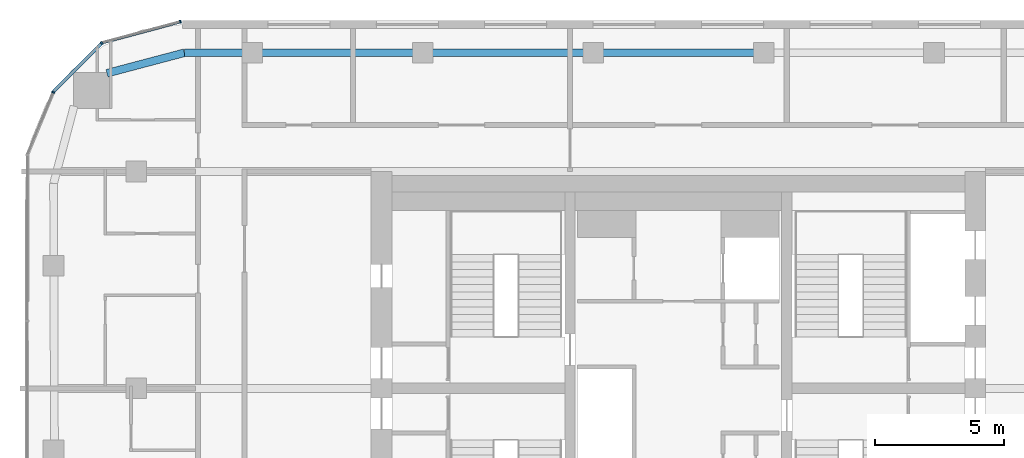
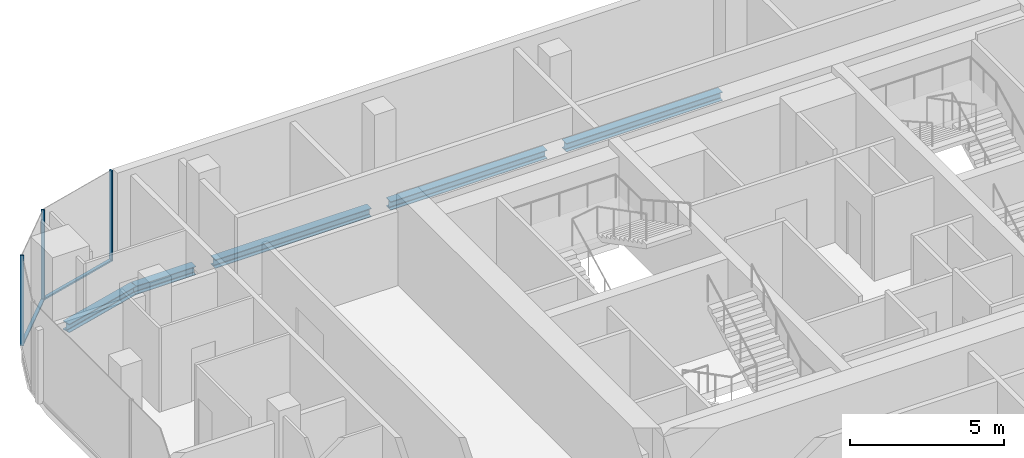
# One storey, part 10 of 22: 5 beams, 5 members, 3 elements without a shape of their own.
"""IFC4 building model written with IfcOpenShell, lengths in metres."""

import ifcopenshell
import ifcopenshell.guid

model = None  # the IFC model being written
_history = None  # IfcOwnerHistory: only IFC2X3 demands one
_inside = {}  # id of a spatial element -> (the spatial element, [elements in it])
_under = {}  # id of a project, library or spatial element -> (it, [spatial elements below it])
_declared = {}  # id of a project -> (the project, [libraries it declares])
_typed = {}  # id of a type object -> (the type object, [elements of that type])
_made_of = {}  # id of a material, layer set ... -> (it, [elements and type objects made of it])


def new_model(schema):
    """Start an empty IFC model of exactly this schema.

    Asked for "IFC4X3", IfcOpenShell would pick the latest addendum, in which some entities
    have other attributes; the version numbers below select the first issue.
    IFC2X3 requires an IfcOwnerHistory on every rooted entity: one is made here for all.
    """
    global model, _history
    if schema == "IFC4X3":
        model = ifcopenshell.file(schema_version=(4, 3, 0, 0))
    else:
        model = ifcopenshell.file(schema=schema)
    _inside.clear()
    _under.clear()
    _declared.clear()
    _typed.clear()
    _made_of.clear()
    _history = None
    if model.schema == "IFC2X3":
        org = make("IfcOrganization", Name="unknown")
        user = make(
            "IfcPersonAndOrganization",
            ThePerson=make("IfcPerson", FamilyName="unknown"),
            TheOrganization=org,
        )
        app = make(
            "IfcApplication",
            ApplicationDeveloper=org,
            Version="unknown",
            ApplicationFullName="unknown",
            ApplicationIdentifier="unknown",
        )
        _history = make(
            "IfcOwnerHistory",
            OwningUser=user,
            OwningApplication=app,
            ChangeAction="ADDED",
            CreationDate=0,
        )
    return model


def make(cls, **values):
    """One entity of the class cls with the attributes given. An attribute that is None is left unset."""
    return model.create_entity(
        cls, **{name: value for name, value in values.items() if value is not None}
    )


def rooted(cls, **values):
    """An entity with a GlobalId (a new one), such as an element, a storey or a relation."""
    return make(cls, GlobalId=ifcopenshell.guid.new(), OwnerHistory=_history, **values)


def si_unit(unit_type, name, prefix=None):
    """IfcSIUnit, for example si_unit("LENGTHUNIT", "METRE", prefix="MILLI")."""
    return make("IfcSIUnit", UnitType=unit_type, Prefix=prefix, Name=name)


def assignment(units):
    """IfcUnitAssignment: the units of a project."""
    return None if units is None else make("IfcUnitAssignment", Units=units)


def point(xyz):
    """IfcCartesianPoint."""
    return None if xyz is None else make("IfcCartesianPoint", Coordinates=xyz)


def direction(xyz):
    """IfcDirection."""
    return None if xyz is None else make("IfcDirection", DirectionRatios=xyz)


def frame(location, z_axis=None, x_axis=None):
    """IfcAxis2Placement3D, a coordinate frame: its origin and axes. An axis left out is left unset."""
    return make(
        "IfcAxis2Placement3D",
        Location=point(location),
        Axis=direction(z_axis),
        RefDirection=direction(x_axis),
    )


def frame_2d(location, x_axis=None):
    """IfcAxis2Placement2D, a coordinate frame in the plane: its origin and x axis."""
    return make(
        "IfcAxis2Placement2D", Location=point(location), RefDirection=direction(x_axis)
    )


def origin():
    """The frame at (0, 0, 0) with its axes left unset."""
    return frame((0.0, 0.0, 0.0))


def origin_2d():
    """The frame at (0, 0) in the plane with its x axis left unset."""
    return frame_2d((0.0, 0.0))


def place(relative_to, where):
    """IfcLocalPlacement: puts the frame where relative to a parent placement (None: the world)."""
    return make(
        "IfcLocalPlacement", PlacementRelTo=relative_to, RelativePlacement=where
    )


def context(
    kind, dimensions, precision=None, world=None, true_north=None, identifier=None
):
    """IfcGeometricRepresentationContext, for example the 3D "Model" context."""
    return make(
        "IfcGeometricRepresentationContext",
        ContextIdentifier=identifier,
        ContextType=kind,
        CoordinateSpaceDimension=dimensions,
        Precision=precision,
        WorldCoordinateSystem=world,
        TrueNorth=true_north,
    )


def subcontext(parent, identifier, kind, view, scale=None):
    """IfcGeometricRepresentationSubContext, for example "Body" below "Model"."""
    return make(
        "IfcGeometricRepresentationSubContext",
        ContextIdentifier=identifier,
        ContextType=kind,
        ParentContext=parent,
        TargetScale=scale,
        TargetView=view,
    )


def project(units=None, contexts=None):
    """IfcProject with its units and contexts."""
    return rooted(
        "IfcProject",
        Name="project",
        RepresentationContexts=contexts,
        UnitsInContext=assignment(units),
    )


def spatial(cls, under=None, at=None, **own):
    """A site, building, storey or space (cls), placed at a placement, below another one or the project."""
    s = rooted(cls, ObjectPlacement=at, **own)
    if under is not None:
        _under.setdefault(under.id(), (under, []))[1].append(s)
    return s


def profile(cls, at=None, kind="AREA", **sizes):
    """A parametric profile (cls). Its sizes go by their IFC names, for example OverallWidth=200.0."""
    return make(cls, ProfileType=kind, Position=at, **sizes)


def rectangle(**sizes):
    """IfcRectangleProfileDef."""
    return profile("IfcRectangleProfileDef", **sizes)


def i_section(**sizes):
    """IfcIShapeProfileDef."""
    return profile("IfcIShapeProfileDef", **sizes)


def extrude(swept, where, along, depth):
    """IfcExtrudedAreaSolid: the profile swept, set in the frame where, extruded along a direction by depth."""
    return make(
        "IfcExtrudedAreaSolid",
        SweptArea=swept,
        Position=where,
        ExtrudedDirection=direction(along),
        Depth=depth,
    )


def shape(context_of_items, identifier, shape_type, items):
    """IfcShapeRepresentation: the items that make up one representation, for example the "Body"."""
    return make(
        "IfcShapeRepresentation",
        ContextOfItems=context_of_items,
        RepresentationIdentifier=identifier,
        RepresentationType=shape_type,
        Items=items,
    )


def material(Name=None, Category=None):
    """IfcMaterial."""
    return make("IfcMaterial", Name=Name, Category=Category)


def layer(
    of_material, thickness, ventilated=None, Name=None, Category=None, Priority=None
):
    """IfcMaterialLayer: one layer of a wall or slab, of a material (None: an air gap)."""
    return make(
        "IfcMaterialLayer",
        Material=of_material,
        LayerThickness=thickness,
        IsVentilated=ventilated,
        Name=Name,
        Category=Category,
        Priority=Priority,
    )


def layer_set(layers, Name=None):
    """IfcMaterialLayerSet."""
    return make("IfcMaterialLayerSet", MaterialLayers=layers, LayerSetName=Name)


def material_profile(
    of_material, cross_section, Name=None, Category=None, Priority=None
):
    """IfcMaterialProfile: a cross section and its material."""
    return make(
        "IfcMaterialProfile",
        Name=Name,
        Material=of_material,
        Profile=cross_section,
        Priority=Priority,
        Category=Category,
    )


def profile_set(profiles, Name=None, composite=None):
    """IfcMaterialProfileSet."""
    return make(
        "IfcMaterialProfileSet",
        Name=Name,
        MaterialProfiles=profiles,
        CompositeProfile=composite,
    )


def made_of(thing, what):
    """Note that an element or type object is made of a material, layer set ...; save() writes the relation."""
    if what is not None:
        _made_of.setdefault(what.id(), (what, []))[1].append(thing)
    return thing


def type_object(cls, material=None, **own):
    """A type object (cls), such as IfcWallType, which elements share."""
    return made_of(rooted(cls, **own), material)


def element(
    cls,
    number,
    at=None,
    inside=None,
    cuts=None,
    type_object=None,
    material=None,
    context=None,
    identifier="Body",
    shape_type=None,
    held_by="IfcProductDefinitionShape",
    body=None,
    shapes=None,
    **own,
):
    """One element of the class cls, such as IfcWall. Its Tag is "e" and its number.

    at: its placement. inside: the storey or other place that contains it. cuts: it is an
    opening in that element (IfcRelVoidsElement). A single representation is given by context,
    identifier, shape_type and body (its items); several are given by shapes. held_by: the class
    of the entity that holds the representations. save() writes the other relations.
    """
    e = rooted(cls, Tag="e%d" % number, ObjectPlacement=at, **own)
    if body is not None:
        shapes = [shape(context, identifier, shape_type, body)]
    if shapes is not None:
        e.Representation = make(held_by, Representations=shapes)
    if inside is not None:
        _inside.setdefault(inside.id(), (inside, []))[1].append(e)
    if cuts is not None:
        rooted(
            "IfcRelVoidsElement", RelatingBuildingElement=cuts, RelatedOpeningElement=e
        )
    if type_object is not None:
        _typed.setdefault(type_object.id(), (type_object, []))[1].append(e)
    return made_of(e, material)


def aggregate(whole, parts):
    """IfcRelAggregates: a whole, such as a stair, and the parts it consists of."""
    return rooted("IfcRelAggregates", RelatingObject=whole, RelatedObjects=parts)


def save(model, path):
    """Write the relations noted so far, then the file.

    IfcRelAggregates (storeys below a building ...), IfcRelContainedInSpatialStructure (elements
    in a storey), IfcRelDefinesByType, IfcRelAssociatesMaterial and IfcRelDeclares: one each for
    every whole, place, type object, material and project.
    """
    for whole, parts in _under.values():
        aggregate(whole, parts)
    for where, things in _inside.values():
        rooted(
            "IfcRelContainedInSpatialStructure",
            RelatedElements=things,
            RelatingStructure=where,
        )
    for kind, things in _typed.values():
        rooted("IfcRelDefinesByType", RelatedObjects=things, RelatingType=kind)
    for what, things in _made_of.values():
        rooted("IfcRelAssociatesMaterial", RelatedObjects=things, RelatingMaterial=what)
    for by, libraries in _declared.values():
        rooted("IfcRelDeclares", RelatingContext=by, RelatedDefinitions=libraries)
    model.write(path)


model = new_model("IFC4")

# Units and contexts
model_context = context("Model", 3, precision=1e-05, world=origin(), true_north=direction((0.0, 1.0)))
body_context = subcontext(model_context, "Body", "Model", "MODEL_VIEW")
ifc_project = project(units=[si_unit("LENGTHUNIT", "METRE"), si_unit("AREAUNIT", "SQUARE_METRE"), si_unit("VOLUMEUNIT", "CUBIC_METRE"), si_unit("PLANEANGLEUNIT", "RADIAN"), si_unit("MASSUNIT", "GRAM", prefix="KILO")], contexts=[model_context])

# Site, building, storey
site_placement = place(None, origin())
site = spatial("IfcSite", under=ifc_project, at=site_placement, CompositionType="ELEMENT")
building_placement = place(site_placement, origin())
building = spatial("IfcBuilding", under=site, at=building_placement, Name="Marenta Gate Hotel Tower", CompositionType="ELEMENT")
storey_placement = place(building_placement, frame((0.0, 0.0, 209.300048828125)))
storey = spatial("IfcBuildingStorey", under=building, at=storey_placement, Name="L48", CompositionType="ELEMENT", Elevation=209.300048828125)

# Beams
ifc_material_1 = material(Name="Steel S355", Category="steel")
ifc_material_profile_1 = material_profile(ifc_material_1, i_section(OverallWidth=0.300048828125, OverallDepth=0.340087890625, WebThickness=0.011962890625, FlangeThickness=0.021484375, FilletRadius=0.027099609375, at=origin_2d()), Name="HEB 340")
ifc_profile_set_1 = profile_set([ifc_material_profile_1], Name="Steel S355")
beam_type = type_object("IfcBeamType", Name="Edge beam HEB 340", PredefinedType="SPANDREL", material=ifc_profile_set_1)
beam_1_placement = place(storey_placement, frame((-22.132080078125, 20.607177734375, -0.429931640625), z_axis=(0.9667647815, 0.25566747398, 0.0), x_axis=(-0.25566747398, 0.9667647815, 0.0)))
element("IfcBeam", 1, at=beam_1_placement, inside=storey, type_object=beam_type, Name="L48-EB-12", PredefinedType="SPANDREL", context=body_context, shape_type="SweptSolid", body=[
    extrude(i_section(OverallWidth=0.300048828125, OverallDepth=0.340087890625, WebThickness=0.011962890625, FlangeThickness=0.021484375, FilletRadius=0.027099609375, at=origin_2d()), origin(), (0.0, 0.0, 1.0), 3.1005859375),
])
beam_2_placement = place(storey_placement, frame((-19.134521484375, 21.39990234375, -0.429931640625), z_axis=(1.0, 0.0, 0.0), x_axis=(0.0, 1.0, 0.0)))
element("IfcBeam", 2, at=beam_2_placement, inside=storey, type_object=beam_type, Name="L48-EB-13", PredefinedType="SPANDREL", context=body_context, shape_type="SweptSolid", body=[
    extrude(i_section(OverallWidth=0.300048828125, OverallDepth=0.340087890625, WebThickness=0.011962890625, FlangeThickness=0.021484375, FilletRadius=0.027099609375, at=origin_2d()), origin(), (0.0, 0.0, 1.0), 2.267578125),
])
for number, where, z_axis, x_axis, name in (
    (3, (-16.14697265625, 21.39990234375, -0.429931640625), (1.0, 0.0, 0.0), (0.0, 1.0, 0.0), "L48-EB-14"),
    (4, (-9.544189453125, 21.39990234375, -0.429931640625), (1.0, 0.0, 0.0), (0.0, 1.0, 0.0), "L48-EB-15"),
    (5, (-2.94140625, 21.39990234375, -0.429931640625), (1.0, 0.0, 0.0), (0.0, 1.0, 0.0), "L48-EB-16"),
):
    element("IfcBeam", number, at=place(storey_placement, frame(where, z_axis=z_axis, x_axis=x_axis)), inside=storey, type_object=beam_type, Name=name, PredefinedType="SPANDREL", context=body_context, shape_type="SweptSolid", body=[
        extrude(i_section(OverallWidth=0.300048828125, OverallDepth=0.340087890625, WebThickness=0.011962890625, FlangeThickness=0.021484375, FilletRadius=0.027099609375, at=origin_2d()), origin(), (0.0, 0.0, 1.0), 5.8828125),
    ])

# Curtain wall, member
ifc_material_2 = material(Name="Tinted insulated glass in bronze anodised frame", Category="glass")
ifc_layer = layer(ifc_material_2, 0.1201171875)
ifc_layer_set = layer_set([ifc_layer], Name="Tinted insulated glass in bronze anodised frame")
curtain_wall_type = type_object("IfcCurtainWallType", Name="Tower unitised curtain wall CW1", PredefinedType="NOTDEFINED", material=ifc_layer_set)
curtain_wall_1_placement = place(storey_placement, origin())
curtain_wall_1 = element("IfcCurtainWall", 6, at=curtain_wall_1_placement, inside=storey, type_object=curtain_wall_type, Name="CW1 run G00", PredefinedType="NOTDEFINED")
ifc_material_3 = material(Name="Bronze anodised aluminium", Category="aluminium")
ifc_material_profile_2 = material_profile(ifc_material_3, rectangle(XDim=0.1201171875, YDim=0.06005859375, at=origin_2d()), Name="Mullion CW1 60x120 bronze anodised aluminium")
ifc_profile_set_2 = profile_set([ifc_material_profile_2], Name="Bronze anodised aluminium")
member_type_1 = type_object("IfcMemberType", Name="Mullion CW1 60x120 bronze anodised aluminium", PredefinedType="MULLION", material=ifc_profile_set_2)
member_1_placement = place(storey_placement, frame((-19.285400390625, 22.603271484375, 0.0), z_axis=(0.0, 0.0, 1.0), x_axis=(0.258801379183, -0.965930559685, 0.0)))
member_1 = element("IfcMember", 7, at=member_1_placement, type_object=member_type_1, Name="CW1 mullion 1", PredefinedType="MULLION", context=body_context, shape_type="SweptSolid", body=[
    extrude(rectangle(XDim=0.1201171875, YDim=0.06005859375, at=origin_2d()), origin(), (0.0, 0.0, 1.0), 3.599853515625),
])

curtain_wall_2_placement = place(storey_placement, origin())
curtain_wall_2 = element("IfcCurtainWall", 8, at=curtain_wall_2_placement, inside=storey, type_object=curtain_wall_type, Name="CW1 run G01", PredefinedType="NOTDEFINED")
member_2_placement = place(storey_placement, frame((-22.334228515625, 21.77099609375, 0.0), z_axis=(0.0, 0.0, 1.0), x_axis=(0.707106781187, -0.707106781187, 0.0)))
member_2 = element("IfcMember", 9, at=member_2_placement, type_object=member_type_1, Name="CW1 mullion 1", PredefinedType="MULLION", context=body_context, shape_type="SweptSolid", body=[
    extrude(rectangle(XDim=0.1201171875, YDim=0.06005859375, at=origin_2d()), origin(), (0.0, 0.0, 1.0), 3.599853515625),
])

curtain_wall_3_placement = place(storey_placement, origin())
curtain_wall_3 = element("IfcCurtainWall", 10, at=curtain_wall_3_placement, inside=storey, type_object=curtain_wall_type, Name="CW1 run G02", PredefinedType="NOTDEFINED")
member_3_placement = place(storey_placement, frame((-24.215087890625, 19.87353515625, 0.0), z_axis=(0.0, 0.0, 1.0), x_axis=(0.923886433266, -0.382666772044, 0.0)))
member_3 = element("IfcMember", 11, at=member_3_placement, type_object=member_type_1, Name="CW1 mullion 1", PredefinedType="MULLION", context=body_context, shape_type="SweptSolid", body=[
    extrude(rectangle(XDim=0.1201171875, YDim=0.06005859375, at=origin_2d()), origin(), (0.0, 0.0, 1.0), 3.599853515625),
])
aggregate(curtain_wall_3, [member_3])

# Member
ifc_material_4 = material(Name="Bronze anodised aluminium", Category="aluminium")
ifc_material_profile_3 = material_profile(ifc_material_4, rectangle(XDim=0.1201171875, YDim=0.06005859375, at=origin_2d()), Name="Transom CW1 60x120 bronze anodised aluminium")
ifc_profile_set_3 = profile_set([ifc_material_profile_3], Name="Bronze anodised aluminium")
member_type_2 = type_object("IfcMemberType", Name="Transom CW1 60x120 bronze anodised aluminium", PredefinedType="USERDEFINED", material=ifc_profile_set_3)
member_4_placement = place(storey_placement, frame((-19.314453125, 22.595458984375, 0.030029296875), z_axis=(-0.965924882171, -0.258822568574, 0.0), x_axis=(0.258822568574, -0.965924882171, 0.0)))
member_4 = element("IfcMember", 12, at=member_4_placement, type_object=member_type_2, Name="CW1 transom 1.1", ObjectType="TRANSOM", PredefinedType="USERDEFINED", context=body_context, shape_type="SweptSolid", body=[
    extrude(rectangle(XDim=0.1201171875, YDim=0.06005859375, at=origin_2d()), origin(), (0.0, 0.0, 1.0), 3.104248046875),
])

aggregate(curtain_wall_1, [member_1, member_4])

member_5_placement = place(storey_placement, frame((-22.355224609375, 21.749755859375, 0.030029296875), z_axis=(-0.707106781187, -0.707106781187, 0.0), x_axis=(0.707106781187, -0.707106781187, 0.0)))
member_5 = element("IfcMember", 13, at=member_5_placement, type_object=member_type_2, Name="CW1 transom 1.1", ObjectType="TRANSOM", PredefinedType="USERDEFINED", context=body_context, shape_type="SweptSolid", body=[
    extrude(rectangle(XDim=0.1201171875, YDim=0.06005859375, at=origin_2d()), origin(), (0.0, 0.0, 1.0), 2.614013671875),
])

aggregate(curtain_wall_2, [member_2, member_5])

save(model, "model.ifc")
